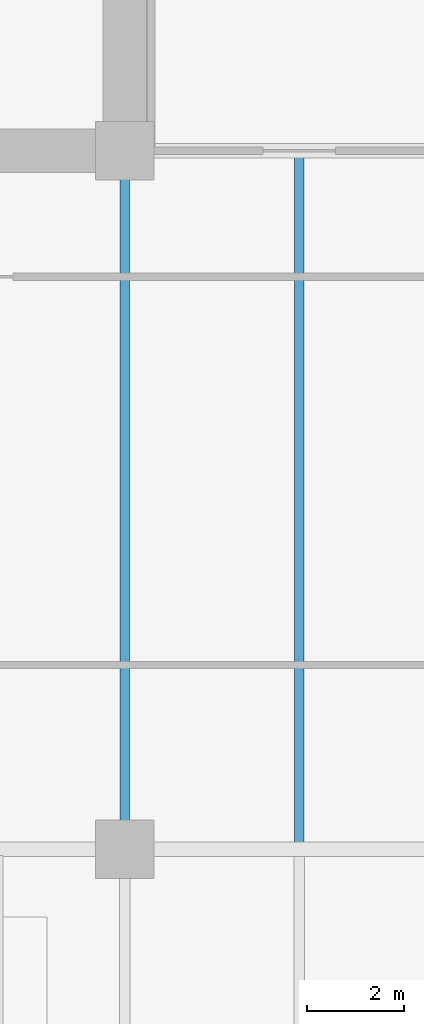
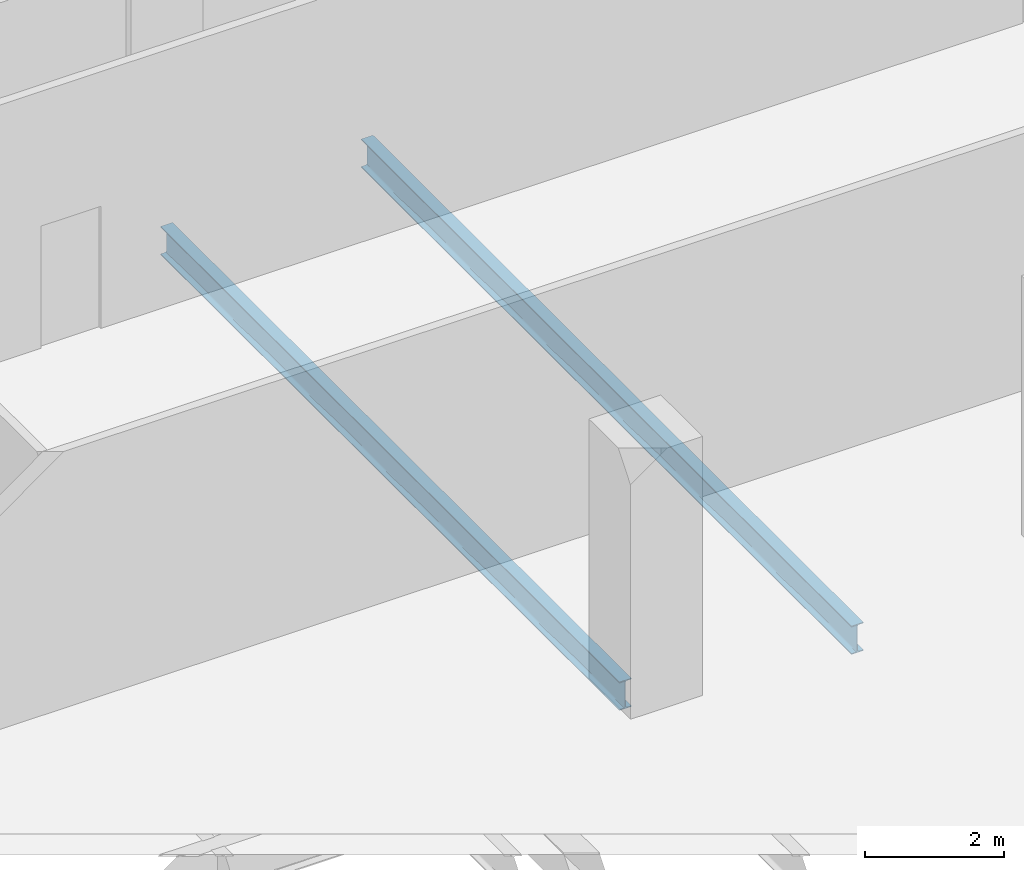
# One storey, part 21 of 37: 2 beams.
"""IFC4 building model written with IfcOpenShell, lengths in metres."""

from ifc_helpers import new_model, si_unit, direction, frame, origin, origin_2d, place, context, subcontext, project, spatial, i_section, extrude, material, material_profile, profile_set, type_object, element, save


model = new_model("IFC4")

# Units and contexts
model_context = context("Model", 3, precision=1e-05, world=origin(), true_north=direction((0.0, 1.0)))
body_context = subcontext(model_context, "Body", "Model", "MODEL_VIEW")
ifc_project = project(units=[si_unit("LENGTHUNIT", "METRE"), si_unit("AREAUNIT", "SQUARE_METRE"), si_unit("VOLUMEUNIT", "CUBIC_METRE"), si_unit("PLANEANGLEUNIT", "RADIAN"), si_unit("MASSUNIT", "GRAM", prefix="KILO")], contexts=[model_context])

# Site, building, storey
site_placement = place(None, origin())
site = spatial("IfcSite", under=ifc_project, at=site_placement, CompositionType="ELEMENT")
building_placement = place(site_placement, origin())
building = spatial("IfcBuilding", under=site, at=building_placement, Name="Kaelvorn Grand Hotel", CompositionType="ELEMENT")
storey_placement = place(building_placement, frame((0.0, 0.0, 224.35009765625)))
storey = spatial("IfcBuildingStorey", under=building, at=storey_placement, Name="L55", CompositionType="ELEMENT", Elevation=224.35009765625)

# Beams
ifc_material = material(Name="Steel S355", Category="steel")
ifc_material_profile = material_profile(ifc_material, i_section(OverallWidth=0.199951171875, OverallDepth=0.5, WebThickness=0.01025390625, FlangeThickness=0.01611328125, FilletRadius=0.02099609375, at=origin_2d()), Name="IPE 500")
ifc_profile_set = profile_set([ifc_material_profile], Name="Steel S355")
beam_type = type_object("IfcBeamType", Name="BM-J-IPE500-S355", PredefinedType="JOIST", material=ifc_profile_set)
beam_1_placement = place(storey_placement, frame((67.800048828125, 15.5849609375, -0.489990234375), z_axis=(0.0, 1.0, 0.0), x_axis=(-1.0, 0.0, 0.0)))
element("IfcBeam", 1, at=beam_1_placement, inside=storey, type_object=beam_type, Name="L55 Composite Floor Joist JM-19", PredefinedType="JOIST", context=body_context, shape_type="SweptSolid", body=[
    extrude(i_section(OverallWidth=0.199951171875, OverallDepth=0.5, WebThickness=0.01025390625, FlangeThickness=0.01611328125, FilletRadius=0.02099609375, at=origin_2d()), origin(), (0.0, 0.0, 1.0), 13.22998046875),
])
beam_2_placement = place(storey_placement, frame((71.39990234375, 15.131103515625, -0.489990234375), z_axis=(0.0, 1.0, 0.0), x_axis=(-1.0, 0.0, 0.0)))
element("IfcBeam", 2, at=beam_2_placement, inside=storey, type_object=beam_type, Name="L55 Composite Floor Joist JM-20", PredefinedType="JOIST", context=body_context, shape_type="SweptSolid", body=[
    extrude(i_section(OverallWidth=0.199951171875, OverallDepth=0.5, WebThickness=0.01025390625, FlangeThickness=0.01611328125, FilletRadius=0.02099609375, at=origin_2d()), origin(), (0.0, 0.0, 1.0), 14.1376953125),
])

save(model, "model.ifc")
